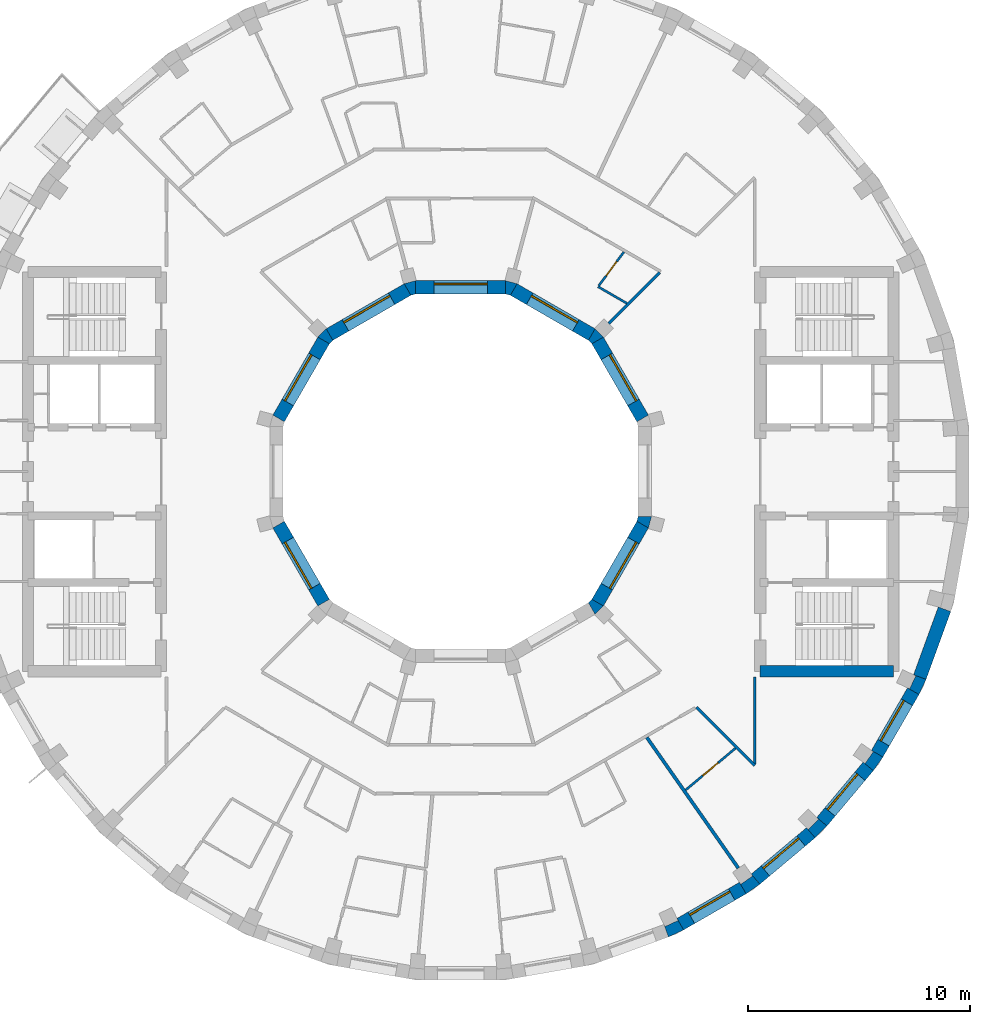
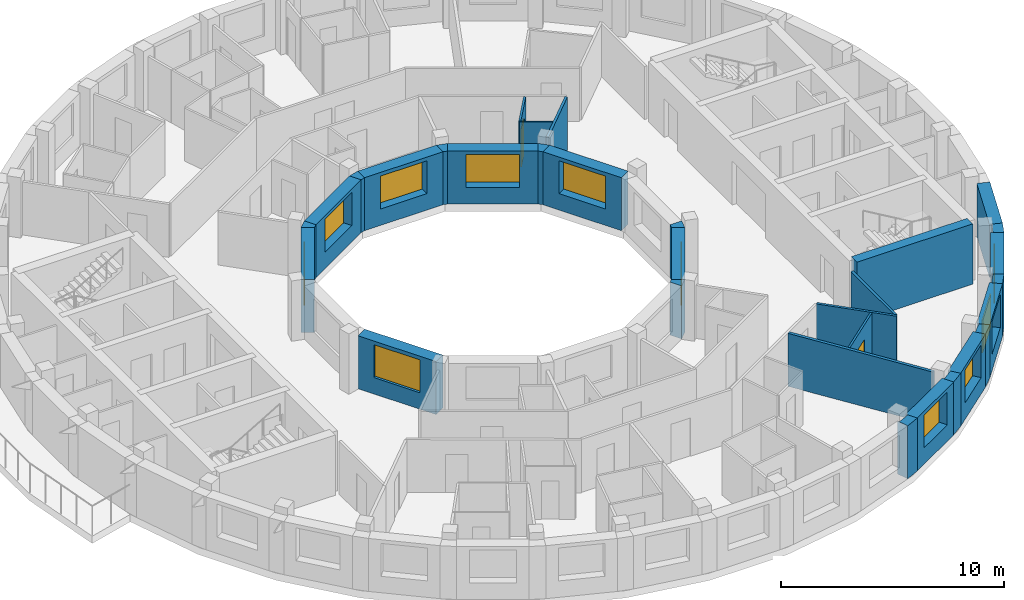
# One storey, part 5 of 10: 31 walls, 11 windows, 2 doors, 13 openings.
"""IFC4 building model written with IfcOpenShell, lengths in metres."""

import ifcopenshell
import ifcopenshell.guid

model = None  # the IFC model being written
_history = None  # IfcOwnerHistory: only IFC2X3 demands one
_inside = {}  # id of a spatial element -> (the spatial element, [elements in it])
_under = {}  # id of a project, library or spatial element -> (it, [spatial elements below it])
_declared = {}  # id of a project -> (the project, [libraries it declares])
_typed = {}  # id of a type object -> (the type object, [elements of that type])
_made_of = {}  # id of a material, layer set ... -> (it, [elements and type objects made of it])


def new_model(schema):
    """Start an empty IFC model of exactly this schema.

    Asked for "IFC4X3", IfcOpenShell would pick the latest addendum, in which some entities
    have other attributes; the version numbers below select the first issue.
    IFC2X3 requires an IfcOwnerHistory on every rooted entity: one is made here for all.
    """
    global model, _history
    if schema == "IFC4X3":
        model = ifcopenshell.file(schema_version=(4, 3, 0, 0))
    else:
        model = ifcopenshell.file(schema=schema)
    _inside.clear()
    _under.clear()
    _declared.clear()
    _typed.clear()
    _made_of.clear()
    _history = None
    if model.schema == "IFC2X3":
        org = make("IfcOrganization", Name="unknown")
        user = make(
            "IfcPersonAndOrganization",
            ThePerson=make("IfcPerson", FamilyName="unknown"),
            TheOrganization=org,
        )
        app = make(
            "IfcApplication",
            ApplicationDeveloper=org,
            Version="unknown",
            ApplicationFullName="unknown",
            ApplicationIdentifier="unknown",
        )
        _history = make(
            "IfcOwnerHistory",
            OwningUser=user,
            OwningApplication=app,
            ChangeAction="ADDED",
            CreationDate=0,
        )
    return model


def make(cls, **values):
    """One entity of the class cls with the attributes given. An attribute that is None is left unset."""
    return model.create_entity(
        cls, **{name: value for name, value in values.items() if value is not None}
    )


def rooted(cls, **values):
    """An entity with a GlobalId (a new one), such as an element, a storey or a relation."""
    return make(cls, GlobalId=ifcopenshell.guid.new(), OwnerHistory=_history, **values)


def si_unit(unit_type, name, prefix=None):
    """IfcSIUnit, for example si_unit("LENGTHUNIT", "METRE", prefix="MILLI")."""
    return make("IfcSIUnit", UnitType=unit_type, Prefix=prefix, Name=name)


def assignment(units):
    """IfcUnitAssignment: the units of a project."""
    return None if units is None else make("IfcUnitAssignment", Units=units)


def point(xyz):
    """IfcCartesianPoint."""
    return None if xyz is None else make("IfcCartesianPoint", Coordinates=xyz)


def direction(xyz):
    """IfcDirection."""
    return None if xyz is None else make("IfcDirection", DirectionRatios=xyz)


def frame(location, z_axis=None, x_axis=None):
    """IfcAxis2Placement3D, a coordinate frame: its origin and axes. An axis left out is left unset."""
    return make(
        "IfcAxis2Placement3D",
        Location=point(location),
        Axis=direction(z_axis),
        RefDirection=direction(x_axis),
    )


def frame_2d(location, x_axis=None):
    """IfcAxis2Placement2D, a coordinate frame in the plane: its origin and x axis."""
    return make(
        "IfcAxis2Placement2D", Location=point(location), RefDirection=direction(x_axis)
    )


def origin():
    """The frame at (0, 0, 0) with its axes left unset."""
    return frame((0.0, 0.0, 0.0))


def place(relative_to, where):
    """IfcLocalPlacement: puts the frame where relative to a parent placement (None: the world)."""
    return make(
        "IfcLocalPlacement", PlacementRelTo=relative_to, RelativePlacement=where
    )


def context(
    kind, dimensions, precision=None, world=None, true_north=None, identifier=None
):
    """IfcGeometricRepresentationContext, for example the 3D "Model" context."""
    return make(
        "IfcGeometricRepresentationContext",
        ContextIdentifier=identifier,
        ContextType=kind,
        CoordinateSpaceDimension=dimensions,
        Precision=precision,
        WorldCoordinateSystem=world,
        TrueNorth=true_north,
    )


def subcontext(parent, identifier, kind, view, scale=None):
    """IfcGeometricRepresentationSubContext, for example "Body" below "Model"."""
    return make(
        "IfcGeometricRepresentationSubContext",
        ContextIdentifier=identifier,
        ContextType=kind,
        ParentContext=parent,
        TargetScale=scale,
        TargetView=view,
    )


def project(units=None, contexts=None):
    """IfcProject with its units and contexts."""
    return rooted(
        "IfcProject",
        Name="project",
        RepresentationContexts=contexts,
        UnitsInContext=assignment(units),
    )


def spatial(cls, under=None, at=None, **own):
    """A site, building, storey or space (cls), placed at a placement, below another one or the project."""
    s = rooted(cls, ObjectPlacement=at, **own)
    if under is not None:
        _under.setdefault(under.id(), (under, []))[1].append(s)
    return s


def polyline(points):
    """IfcPolyline through the points."""
    return make("IfcPolyline", Points=[point(p) for p in points])


def profile(cls, at=None, kind="AREA", **sizes):
    """A parametric profile (cls). Its sizes go by their IFC names, for example OverallWidth=200.0."""
    return make(cls, ProfileType=kind, Position=at, **sizes)


def rectangle(**sizes):
    """IfcRectangleProfileDef."""
    return profile("IfcRectangleProfileDef", **sizes)


def outline(outer, holes=None, kind="AREA"):
    """IfcArbitraryClosedProfileDef: a profile drawn as a closed curve; with holes, ...WithVoids."""
    if holes is None:
        return make("IfcArbitraryClosedProfileDef", ProfileType=kind, OuterCurve=outer)
    return make(
        "IfcArbitraryProfileDefWithVoids",
        ProfileType=kind,
        OuterCurve=outer,
        InnerCurves=holes,
    )


def extrude(swept, where, along, depth):
    """IfcExtrudedAreaSolid: the profile swept, set in the frame where, extruded along a direction by depth."""
    return make(
        "IfcExtrudedAreaSolid",
        SweptArea=swept,
        Position=where,
        ExtrudedDirection=direction(along),
        Depth=depth,
    )


def shape(context_of_items, identifier, shape_type, items):
    """IfcShapeRepresentation: the items that make up one representation, for example the "Body"."""
    return make(
        "IfcShapeRepresentation",
        ContextOfItems=context_of_items,
        RepresentationIdentifier=identifier,
        RepresentationType=shape_type,
        Items=items,
    )


def material(Name=None, Category=None):
    """IfcMaterial."""
    return make("IfcMaterial", Name=Name, Category=Category)


def layer(
    of_material, thickness, ventilated=None, Name=None, Category=None, Priority=None
):
    """IfcMaterialLayer: one layer of a wall or slab, of a material (None: an air gap)."""
    return make(
        "IfcMaterialLayer",
        Material=of_material,
        LayerThickness=thickness,
        IsVentilated=ventilated,
        Name=Name,
        Category=Category,
        Priority=Priority,
    )


def layer_set(layers, Name=None):
    """IfcMaterialLayerSet."""
    return make("IfcMaterialLayerSet", MaterialLayers=layers, LayerSetName=Name)


def made_of(thing, what):
    """Note that an element or type object is made of a material, layer set ...; save() writes the relation."""
    if what is not None:
        _made_of.setdefault(what.id(), (what, []))[1].append(thing)
    return thing


def type_object(cls, material=None, **own):
    """A type object (cls), such as IfcWallType, which elements share."""
    return made_of(rooted(cls, **own), material)


def element(
    cls,
    number,
    at=None,
    inside=None,
    cuts=None,
    type_object=None,
    material=None,
    context=None,
    identifier="Body",
    shape_type=None,
    held_by="IfcProductDefinitionShape",
    body=None,
    shapes=None,
    **own,
):
    """One element of the class cls, such as IfcWall. Its Tag is "e" and its number.

    at: its placement. inside: the storey or other place that contains it. cuts: it is an
    opening in that element (IfcRelVoidsElement). A single representation is given by context,
    identifier, shape_type and body (its items); several are given by shapes. held_by: the class
    of the entity that holds the representations. save() writes the other relations.
    """
    e = rooted(cls, Tag="e%d" % number, ObjectPlacement=at, **own)
    if body is not None:
        shapes = [shape(context, identifier, shape_type, body)]
    if shapes is not None:
        e.Representation = make(held_by, Representations=shapes)
    if inside is not None:
        _inside.setdefault(inside.id(), (inside, []))[1].append(e)
    if cuts is not None:
        rooted(
            "IfcRelVoidsElement", RelatingBuildingElement=cuts, RelatedOpeningElement=e
        )
    if type_object is not None:
        _typed.setdefault(type_object.id(), (type_object, []))[1].append(e)
    return made_of(e, material)


def fill(opening, filler):
    """IfcRelFillsElement: the door or window that sits in an opening."""
    return rooted(
        "IfcRelFillsElement",
        RelatingOpeningElement=opening,
        RelatedBuildingElement=filler,
    )


def aggregate(whole, parts):
    """IfcRelAggregates: a whole, such as a stair, and the parts it consists of."""
    return rooted("IfcRelAggregates", RelatingObject=whole, RelatedObjects=parts)


def save(model, path):
    """Write the relations noted so far, then the file.

    IfcRelAggregates (storeys below a building ...), IfcRelContainedInSpatialStructure (elements
    in a storey), IfcRelDefinesByType, IfcRelAssociatesMaterial and IfcRelDeclares: one each for
    every whole, place, type object, material and project.
    """
    for whole, parts in _under.values():
        aggregate(whole, parts)
    for where, things in _inside.values():
        rooted(
            "IfcRelContainedInSpatialStructure",
            RelatedElements=things,
            RelatingStructure=where,
        )
    for kind, things in _typed.values():
        rooted("IfcRelDefinesByType", RelatedObjects=things, RelatingType=kind)
    for what, things in _made_of.values():
        rooted("IfcRelAssociatesMaterial", RelatedObjects=things, RelatingMaterial=what)
    for by, libraries in _declared.values():
        rooted("IfcRelDeclares", RelatingContext=by, RelatedDefinitions=libraries)
    model.write(path)


model = new_model("IFC4")

# Units and contexts
model_context = context("Model", 3, precision=1e-05, world=origin(), true_north=direction((0.0, 1.0)))
body_context = subcontext(model_context, "Body", "Model", "MODEL_VIEW")
ifc_project = project(units=[si_unit("LENGTHUNIT", "METRE"), si_unit("AREAUNIT", "SQUARE_METRE"), si_unit("VOLUMEUNIT", "CUBIC_METRE"), si_unit("PLANEANGLEUNIT", "RADIAN"), si_unit("MASSUNIT", "GRAM", prefix="KILO")], contexts=[model_context])

# Site, building, storey
site_placement = place(None, origin())
site = spatial("IfcSite", under=ifc_project, at=site_placement, CompositionType="ELEMENT")
building_placement = place(site_placement, origin())
building = spatial("IfcBuilding", under=site, at=building_placement, Name="Saqina Gate Tower", CompositionType="ELEMENT")
storey_placement = place(building_placement, frame((0.0, 0.0, 246.199951171875)))
storey = spatial("IfcBuildingStorey", under=building, at=storey_placement, Name="L70", CompositionType="ELEMENT", Elevation=246.199951171875)

# Walls
ifc_material_1 = material(Name="Brick masonry (buff)", Category="masonry")
wall_type_1 = type_object("IfcWallType", Name="BRICK PIER COPING BUFF", PredefinedType="SOLIDWALL", material=ifc_material_1)
wall_1_placement = place(storey_placement, origin())
element("IfcWall", 1, at=wall_1_placement, inside=storey, type_object=wall_type_1, Name="Pier cap L70 column 30", PredefinedType="SOLIDWALL", context=body_context, shape_type="SweptSolid", body=[
    extrude(outline(polyline([(9.3642578125, -20.974609375), (10.048095703125, -20.65576171875), (9.748291015625, -20.135986328125), (9.79296875, -20.23193359375), (9.203857421875, -20.506591796875), (9.1591796875, -20.410888671875), (9.3642578125, -20.974609375)])), origin(), (0.0, 0.0, 1.0), 2.900146484375),
])
wall_2_placement = place(storey_placement, origin())
element("IfcWall", 2, at=wall_2_placement, inside=storey, type_object=wall_type_1, Name="Pier cap L70 column 31", PredefinedType="SOLIDWALL", context=body_context, shape_type="SweptSolid", body=[
    extrude(outline(polyline([(12.8642578125, -19.02978515625), (13.482421875, -18.59716796875), (13.0966796875, -18.137451171875), (13.157470703125, -18.22412109375), (12.625, -18.596923828125), (12.564208984375, -18.51025390625), (12.8642578125, -19.02978515625)])), origin(), (0.0, 0.0, 1.0), 2.900146484375),
])
wall_3_placement = place(storey_placement, origin())
element("IfcWall", 3, at=wall_3_placement, inside=storey, type_object=wall_type_1, Name="Pier cap L70 column 32", PredefinedType="SOLIDWALL", context=body_context, shape_type="SweptSolid", body=[
    extrude(outline(polyline([(16.5068359375, -15.973388671875), (16.04736328125, -15.587646484375), (16.1220703125, -15.662353515625), (15.662353515625, -16.1220703125), (15.587646484375, -16.04736328125), (15.973388671875, -16.5068359375), (16.5068359375, -15.973388671875)])), origin(), (0.0, 0.0, 1.0), 2.900146484375),
])
wall_4_placement = place(storey_placement, origin())
element("IfcWall", 4, at=wall_4_placement, inside=storey, type_object=wall_type_1, Name="Pier cap L70 column 33", PredefinedType="SOLIDWALL", context=body_context, shape_type="SweptSolid", body=[
    extrude(outline(polyline([(19.02978515625, -12.8642578125), (18.51025390625, -12.564208984375), (18.596923828125, -12.625), (18.22412109375, -13.157470703125), (18.137451171875, -13.0966796875), (18.59716796875, -13.482421875), (19.02978515625, -12.8642578125)])), origin(), (0.0, 0.0, 1.0), 2.900146484375),
])
wall_5_placement = place(storey_placement, origin())
element("IfcWall", 5, at=wall_5_placement, inside=storey, type_object=wall_type_1, Name="Pier cap L70 column 34", PredefinedType="SOLIDWALL", context=body_context, shape_type="SweptSolid", body=[
    extrude(outline(polyline([(20.65576171875, -10.048095703125), (20.974609375, -9.3642578125), (20.410888671875, -9.1591796875), (20.506591796875, -9.203857421875), (20.23193359375, -9.79296875), (20.135986328125, -9.748291015625), (20.65576171875, -10.048095703125)])), origin(), (0.0, 0.0, 1.0), 2.900146484375),
])

# Wall, opening, window
ifc_material_2 = material(Name="Brick masonry (buff)", Category="masonry")
ifc_layer_1 = layer(ifc_material_2, 0.60009765625)
ifc_layer_set_1 = layer_set([ifc_layer_1], Name="FW-BRICK-BUFF")
wall_type_2 = type_object("IfcWallType", Name="FW-BRICK-BUFF", PredefinedType="SOLIDWALL", material=ifc_layer_set_1)
wall_6_placement = place(storey_placement, frame((9.898193359375, -20.39599609375, 0.0), z_axis=(0.0, 0.0, 1.0), x_axis=(0.866016800201, 0.500014901547, 0.0)))
wall_6 = element("IfcWall", 6, at=wall_6_placement, inside=storey, type_object=wall_type_2, Name="Facade wall L70 facet 30", PredefinedType="SOLIDWALL", context=body_context, shape_type="SweptSolid", body=[
    extrude(rectangle(XDim=3.251953125, YDim=0.60009765625, at=frame_2d((1.6259765625, 0.0))), origin(), (0.0, 0.0, 1.0), 2.900146484375),
])
opening_1_placement = place(wall_6_placement, frame((0.57568359375, 0.0, 0.89990234375)))
opening_1 = element("IfcOpeningElement", 7, at=opening_1_placement, cuts=wall_6, Name="Opening G20-W21", PredefinedType="OPENING", context=body_context, shape_type="SweptSolid", body=[
    extrude(rectangle(XDim=2.10009765625, YDim=1.800048828125, at=frame_2d((1.050048828125, 0.89990234375))), frame((0.0, 0.31201171875, 0.0), z_axis=(0.0, -1.0, 0.0), x_axis=(1.0, 0.0, 0.0)), (0.0, 0.0, 1.0), 0.6240234375),
])
ifc_material_3 = material(Name="Aluminium glazing", Category="aluminium")
window_type_1 = type_object("IfcWindowType", Name="WN-D", PartitioningType="SINGLE_PANEL", PredefinedType="WINDOW", material=ifc_material_3)
window_1_placement = place(opening_1_placement, origin())
window_1 = element("IfcWindow", 8, at=window_1_placement, inside=storey, type_object=window_type_1, Name="Window L70 facet 30", OverallHeight=1.800048828125, OverallWidth=2.10009765625, PartitioningType="SINGLE_PANEL", PredefinedType="WINDOW", context=body_context, shape_type="SweptSolid", body=[
    extrude(rectangle(XDim=2.10009765625, YDim=1.800048828125, at=frame_2d((1.050048828125, 0.89990234375))), frame((0.0, 0.179931640625, 0.0), z_axis=(0.0, -1.0, 0.0), x_axis=(1.0, 0.0, 0.0)), (0.0, 0.0, 1.0), 0.06005859375),
])
fill(opening_1, window_1)

wall_7_placement = place(storey_placement, frame((13.28955078125, -18.3671875, 0.0), z_axis=(0.0, 0.0, 1.0), x_axis=(0.766056773982, 0.64277291405, 0.0)))
wall_7 = element("IfcWall", 9, at=wall_7_placement, inside=storey, type_object=wall_type_2, Name="Facade wall L70 facet 31", PredefinedType="SOLIDWALL", context=body_context, shape_type="SweptSolid", body=[
    extrude(rectangle(XDim=3.251708984375, YDim=0.60009765625, at=frame_2d((1.6259765625, 0.0))), origin(), (0.0, 0.0, 1.0), 2.900146484375),
])
opening_2_placement = place(wall_7_placement, frame((0.57568359375, 0.0, 0.89990234375)))
opening_2 = element("IfcOpeningElement", 10, at=opening_2_placement, cuts=wall_7, Name="Opening G20-W22", PredefinedType="OPENING", context=body_context, shape_type="SweptSolid", body=[
    extrude(rectangle(XDim=2.10009765625, YDim=1.800048828125, at=frame_2d((1.050048828125, 0.89990234375))), frame((0.0, 0.31201171875, 0.0), z_axis=(0.0, -1.0, 0.0), x_axis=(1.0, 0.0, 0.0)), (0.0, 0.0, 1.0), 0.6240234375),
])
window_2_placement = place(opening_2_placement, origin())
window_2 = element("IfcWindow", 11, at=window_2_placement, inside=storey, type_object=window_type_1, Name="Window L70 facet 31", OverallHeight=1.800048828125, OverallWidth=2.10009765625, PartitioningType="SINGLE_PANEL", PredefinedType="WINDOW", context=body_context, shape_type="SweptSolid", body=[
    extrude(rectangle(XDim=2.10009765625, YDim=1.800048828125, at=frame_2d((1.050048828125, 0.89990234375))), frame((0.0, 0.179931640625, 0.0), z_axis=(0.0, -1.0, 0.0), x_axis=(1.0, 0.0, 0.0)), (0.0, 0.0, 1.0), 0.06005859375),
])
fill(opening_2, window_2)

wall_8_placement = place(storey_placement, frame((16.277099609375, -15.780517578125, 0.0), z_axis=(0.0, 0.0, 1.0), x_axis=(0.64277291405, 0.766056773982, 0.0)))
wall_8 = element("IfcWall", 12, at=wall_8_placement, inside=storey, type_object=wall_type_2, Name="Facade wall L70 facet 32", PredefinedType="SOLIDWALL", context=body_context, shape_type="SweptSolid", body=[
    extrude(rectangle(XDim=3.251708984375, YDim=0.60009765625, at=frame_2d((1.6259765625, 0.0))), origin(), (0.0, 0.0, 1.0), 2.900146484375),
])
opening_3_placement = place(wall_8_placement, frame((0.57568359375, 0.0, 0.89990234375)))
opening_3 = element("IfcOpeningElement", 13, at=opening_3_placement, cuts=wall_8, Name="Opening G20-W23", PredefinedType="OPENING", context=body_context, shape_type="SweptSolid", body=[
    extrude(rectangle(XDim=2.10009765625, YDim=1.800048828125, at=frame_2d((1.050048828125, 0.89990234375))), frame((0.0, 0.31201171875, 0.0), z_axis=(0.0, -1.0, 0.0), x_axis=(1.0, 0.0, 0.0)), (0.0, 0.0, 1.0), 0.6240234375),
])
window_3_placement = place(opening_3_placement, origin())
window_3 = element("IfcWindow", 14, at=window_3_placement, inside=storey, type_object=window_type_1, Name="Window L70 facet 32", OverallHeight=1.800048828125, OverallWidth=2.10009765625, PartitioningType="SINGLE_PANEL", PredefinedType="WINDOW", context=body_context, shape_type="SweptSolid", body=[
    extrude(rectangle(XDim=2.10009765625, YDim=1.800048828125, at=frame_2d((1.050048828125, 0.89990234375))), frame((0.0, 0.179931640625, 0.0), z_axis=(0.0, -1.0, 0.0), x_axis=(1.0, 0.0, 0.0)), (0.0, 0.0, 1.0), 0.06005859375),
])
fill(opening_3, window_3)

wall_9_placement = place(storey_placement, frame((18.77001953125, -12.71435546875, 0.0), z_axis=(0.0, 0.0, 1.0), x_axis=(0.500014901547, 0.866016800201, 0.0)))
wall_9 = element("IfcWall", 15, at=wall_9_placement, inside=storey, type_object=wall_type_2, Name="Facade wall L70 facet 33", PredefinedType="SOLIDWALL", context=body_context, shape_type="SweptSolid", body=[
    extrude(rectangle(XDim=3.251953125, YDim=0.60009765625, at=frame_2d((1.6259765625, 0.0))), origin(), (0.0, 0.0, 1.0), 2.900146484375),
])
opening_4_placement = place(wall_9_placement, frame((0.57568359375, 0.0, 0.89990234375)))
opening_4 = element("IfcOpeningElement", 16, at=opening_4_placement, cuts=wall_9, Name="Opening G20-W24", PredefinedType="OPENING", context=body_context, shape_type="SweptSolid", body=[
    extrude(rectangle(XDim=2.10009765625, YDim=1.800048828125, at=frame_2d((1.050048828125, 0.89990234375))), frame((0.0, 0.31201171875, 0.0), z_axis=(0.0, -1.0, 0.0), x_axis=(1.0, 0.0, 0.0)), (0.0, 0.0, 1.0), 0.6240234375),
])
window_4_placement = place(opening_4_placement, origin())
window_4 = element("IfcWindow", 17, at=window_4_placement, inside=storey, type_object=window_type_1, Name="Window L70 facet 33", OverallHeight=1.800048828125, OverallWidth=2.10009765625, PartitioningType="SINGLE_PANEL", PredefinedType="WINDOW", context=body_context, shape_type="SweptSolid", body=[
    extrude(rectangle(XDim=2.10009765625, YDim=1.800048828125, at=frame_2d((1.050048828125, 0.89990234375))), frame((0.0, 0.179931640625, 0.0), z_axis=(0.0, -1.0, 0.0), x_axis=(1.0, 0.0, 0.0)), (0.0, 0.0, 1.0), 0.06005859375),
])
fill(opening_4, window_4)

# Wall
ifc_material_4 = material(Name="Glazed ceramic tile (white)", Category="ceramic")
ifc_layer_2 = layer(ifc_material_4, 0.60009765625)
ifc_layer_set_2 = layer_set([ifc_layer_2], Name="FW-TILE-WH")
wall_type_3 = type_object("IfcWallType", Name="FW-TILE-WH", PredefinedType="SOLIDWALL", material=ifc_layer_set_2)
wall_10_placement = place(storey_placement, frame((20.692626953125, -9.26171875, 0.0), z_axis=(0.0, 0.0, 1.0), x_axis=(0.342056509473, 0.939679383794, 0.0)))
element("IfcWall", 18, at=wall_10_placement, inside=storey, type_object=wall_type_3, Name="Facade wall L70 facet 34", PredefinedType="SOLIDWALL", context=body_context, shape_type="SweptSolid", body=[
    extrude(rectangle(XDim=3.251708984375, YDim=0.60009765625, at=frame_2d((1.6259765625, 0.0))), origin(), (0.0, 0.0, 1.0), 2.900146484375),
])

# Wall, opening, window
ifc_material_5 = material(Name="Glazed ceramic tile", Category="ceramic")
ifc_layer_3 = layer(ifc_material_5, 0.60009765625)
ifc_layer_set_3 = layer_set([ifc_layer_3], Name="IW-TILE")
wall_type_4 = type_object("IfcWallType", Name="IW-TILE", PredefinedType="SOLIDWALL", material=ifc_layer_set_3)
wall_11_placement = place(storey_placement, frame((8.20263671875, 2.392578125, 0.0), z_axis=(0.0, 0.0, 1.0), x_axis=(-0.499994954979, 0.866028316509, 0.0)))
wall_11 = element("IfcWall", 19, at=wall_11_placement, inside=storey, type_object=wall_type_4, Name="Well wall L70 facet 1", PredefinedType="SOLIDWALL", context=body_context, shape_type="SweptSolid", body=[
    extrude(rectangle(XDim=4.05859375, YDim=0.60009765625, at=frame_2d((2.029296875, 0.0))), origin(), (0.0, 0.0, 1.0), 2.900146484375),
])
opening_5_placement = place(wall_11_placement, frame((0.829345703125, 0.0, 0.89990234375)))
opening_5 = element("IfcOpeningElement", 20, at=opening_5_placement, cuts=wall_11, Name="Opening G20-W25", PredefinedType="OPENING", context=body_context, shape_type="SweptSolid", body=[
    extrude(rectangle(XDim=2.39990234375, YDim=1.800048828125, at=frame_2d((1.199951171875, 0.89990234375))), frame((0.0, 0.31201171875, 0.0), z_axis=(0.0, -1.0, 0.0), x_axis=(1.0, 0.0, 0.0)), (0.0, 0.0, 1.0), 0.6240234375),
])
ifc_material_6 = material(Name="Aluminium glazing", Category="aluminium")
window_type_2 = type_object("IfcWindowType", Name="WN-W", PartitioningType="SINGLE_PANEL", PredefinedType="WINDOW", material=ifc_material_6)
window_5_placement = place(opening_5_placement, origin())
window_5 = element("IfcWindow", 21, at=window_5_placement, inside=storey, type_object=window_type_2, Name="Well window L70 facet 1", OverallHeight=1.800048828125, OverallWidth=2.39990234375, PartitioningType="SINGLE_PANEL", PredefinedType="WINDOW", context=body_context, shape_type="SweptSolid", body=[
    extrude(rectangle(XDim=2.39990234375, YDim=1.800048828125, at=frame_2d((1.199951171875, 0.89990234375))), frame((0.0, -0.119873046875, 0.0), z_axis=(0.0, -1.0, 0.0), x_axis=(1.0, 0.0, 0.0)), (0.0, 0.0, 1.0), 0.06005859375),
])
fill(opening_5, window_5)

wall_12_placement = place(storey_placement, frame((5.907470703125, 6.17333984375, 0.0), z_axis=(0.0, 0.0, 1.0), x_axis=(-0.866028316509, 0.499994954979, 0.0)))
wall_12 = element("IfcWall", 22, at=wall_12_placement, inside=storey, type_object=wall_type_4, Name="Well wall L70 facet 2", PredefinedType="SOLIDWALL", context=body_context, shape_type="SweptSolid", body=[
    extrude(rectangle(XDim=4.05859375, YDim=0.60009765625, at=frame_2d((2.029296875, 0.0))), origin(), (0.0, 0.0, 1.0), 2.900146484375),
])
opening_6_placement = place(wall_12_placement, frame((0.829345703125, 0.0, 0.89990234375)))
opening_6 = element("IfcOpeningElement", 23, at=opening_6_placement, cuts=wall_12, Name="Opening G20-W26", PredefinedType="OPENING", context=body_context, shape_type="SweptSolid", body=[
    extrude(rectangle(XDim=2.39990234375, YDim=1.800048828125, at=frame_2d((1.199951171875, 0.89990234375))), frame((0.0, 0.31201171875, 0.0), z_axis=(0.0, -1.0, 0.0), x_axis=(1.0, 0.0, 0.0)), (0.0, 0.0, 1.0), 0.6240234375),
])
window_6_placement = place(opening_6_placement, origin())
window_6 = element("IfcWindow", 24, at=window_6_placement, inside=storey, type_object=window_type_2, Name="Well window L70 facet 2", OverallHeight=1.800048828125, OverallWidth=2.39990234375, PartitioningType="SINGLE_PANEL", PredefinedType="WINDOW", context=body_context, shape_type="SweptSolid", body=[
    extrude(rectangle(XDim=2.39990234375, YDim=1.800048828125, at=frame_2d((1.199951171875, 0.89990234375))), frame((0.0, -0.119873046875, 0.0), z_axis=(0.0, -1.0, 0.0), x_axis=(1.0, 0.0, 0.0)), (0.0, 0.0, 1.0), 0.06005859375),
])
fill(opening_6, window_6)

wall_13_placement = place(storey_placement, frame((2.029296875, 8.300048828125, 0.0), z_axis=(0.0, 0.0, 1.0), x_axis=(-1.0, 0.0, 0.0)))
wall_13 = element("IfcWall", 25, at=wall_13_placement, inside=storey, type_object=wall_type_4, Name="Well wall L70 facet 3", PredefinedType="SOLIDWALL", context=body_context, shape_type="SweptSolid", body=[
    extrude(rectangle(XDim=4.05859375, YDim=0.60009765625, at=frame_2d((2.029296875, 0.0))), origin(), (0.0, 0.0, 1.0), 2.900146484375),
])
opening_7_placement = place(wall_13_placement, frame((0.829345703125, 0.0, 0.89990234375)))
opening_7 = element("IfcOpeningElement", 26, at=opening_7_placement, cuts=wall_13, Name="Opening G20-W27", PredefinedType="OPENING", context=body_context, shape_type="SweptSolid", body=[
    extrude(rectangle(XDim=2.39990234375, YDim=1.800048828125, at=frame_2d((1.199951171875, 0.89990234375))), frame((0.0, 0.31201171875, 0.0), z_axis=(0.0, -1.0, 0.0), x_axis=(1.0, 0.0, 0.0)), (0.0, 0.0, 1.0), 0.6240234375),
])
window_7_placement = place(opening_7_placement, origin())
window_7 = element("IfcWindow", 27, at=window_7_placement, inside=storey, type_object=window_type_2, Name="Well window L70 facet 3", OverallHeight=1.800048828125, OverallWidth=2.39990234375, PartitioningType="SINGLE_PANEL", PredefinedType="WINDOW", context=body_context, shape_type="SweptSolid", body=[
    extrude(rectangle(XDim=2.39990234375, YDim=1.800048828125, at=frame_2d((1.199951171875, 0.89990234375))), frame((0.0, -0.119873046875, 0.0), z_axis=(0.0, -1.0, 0.0), x_axis=(1.0, 0.0, 0.0)), (0.0, 0.0, 1.0), 0.06005859375),
])
fill(opening_7, window_7)

wall_14_placement = place(storey_placement, frame((-2.392578125, 8.20263671875, 0.0), z_axis=(0.0, 0.0, 1.0), x_axis=(-0.866028316509, -0.499994954979, 0.0)))
wall_14 = element("IfcWall", 28, at=wall_14_placement, inside=storey, type_object=wall_type_4, Name="Well wall L70 facet 4", PredefinedType="SOLIDWALL", context=body_context, shape_type="SweptSolid", body=[
    extrude(rectangle(XDim=4.05859375, YDim=0.60009765625, at=frame_2d((2.029296875, 0.0))), origin(), (0.0, 0.0, 1.0), 2.900146484375),
])
opening_8_placement = place(wall_14_placement, frame((0.829345703125, 0.0, 0.89990234375)))
opening_8 = element("IfcOpeningElement", 29, at=opening_8_placement, cuts=wall_14, Name="Opening G20-W28", PredefinedType="OPENING", context=body_context, shape_type="SweptSolid", body=[
    extrude(rectangle(XDim=2.39990234375, YDim=1.800048828125, at=frame_2d((1.199951171875, 0.89990234375))), frame((0.0, 0.31201171875, 0.0), z_axis=(0.0, -1.0, 0.0), x_axis=(1.0, 0.0, 0.0)), (0.0, 0.0, 1.0), 0.6240234375),
])
window_8_placement = place(opening_8_placement, origin())
window_8 = element("IfcWindow", 30, at=window_8_placement, inside=storey, type_object=window_type_2, Name="Well window L70 facet 4", OverallHeight=1.800048828125, OverallWidth=2.39990234375, PartitioningType="SINGLE_PANEL", PredefinedType="WINDOW", context=body_context, shape_type="SweptSolid", body=[
    extrude(rectangle(XDim=2.39990234375, YDim=1.800048828125, at=frame_2d((1.199951171875, 0.89990234375))), frame((0.0, -0.119873046875, 0.0), z_axis=(0.0, -1.0, 0.0), x_axis=(1.0, 0.0, 0.0)), (0.0, 0.0, 1.0), 0.06005859375),
])
fill(opening_8, window_8)

wall_15_placement = place(storey_placement, frame((-6.17333984375, 5.907470703125, 0.0), z_axis=(0.0, 0.0, 1.0), x_axis=(-0.499994954979, -0.866028316509, 0.0)))
wall_15 = element("IfcWall", 31, at=wall_15_placement, inside=storey, type_object=wall_type_4, Name="Well wall L70 facet 5", PredefinedType="SOLIDWALL", context=body_context, shape_type="SweptSolid", body=[
    extrude(rectangle(XDim=4.05859375, YDim=0.60009765625, at=frame_2d((2.029296875, 0.0))), origin(), (0.0, 0.0, 1.0), 2.900146484375),
])
opening_9_placement = place(wall_15_placement, frame((0.829345703125, 0.0, 0.89990234375)))
opening_9 = element("IfcOpeningElement", 32, at=opening_9_placement, cuts=wall_15, Name="Opening G20-W29", PredefinedType="OPENING", context=body_context, shape_type="SweptSolid", body=[
    extrude(rectangle(XDim=2.39990234375, YDim=1.800048828125, at=frame_2d((1.199951171875, 0.89990234375))), frame((0.0, 0.31201171875, 0.0), z_axis=(0.0, -1.0, 0.0), x_axis=(1.0, 0.0, 0.0)), (0.0, 0.0, 1.0), 0.6240234375),
])
window_9_placement = place(opening_9_placement, origin())
window_9 = element("IfcWindow", 33, at=window_9_placement, inside=storey, type_object=window_type_2, Name="Well window L70 facet 5", OverallHeight=1.800048828125, OverallWidth=2.39990234375, PartitioningType="SINGLE_PANEL", PredefinedType="WINDOW", context=body_context, shape_type="SweptSolid", body=[
    extrude(rectangle(XDim=2.39990234375, YDim=1.800048828125, at=frame_2d((1.199951171875, 0.89990234375))), frame((0.0, -0.119873046875, 0.0), z_axis=(0.0, -1.0, 0.0), x_axis=(1.0, 0.0, 0.0)), (0.0, 0.0, 1.0), 0.06005859375),
])
fill(opening_9, window_9)

wall_16_placement = place(storey_placement, frame((-8.20263671875, -2.392578125, 0.0), z_axis=(0.0, 0.0, 1.0), x_axis=(0.499994954979, -0.866028316509, 0.0)))
wall_16 = element("IfcWall", 34, at=wall_16_placement, inside=storey, type_object=wall_type_4, Name="Well wall L70 facet 7", PredefinedType="SOLIDWALL", context=body_context, shape_type="SweptSolid", body=[
    extrude(rectangle(XDim=4.05859375, YDim=0.60009765625, at=frame_2d((2.029296875, 0.0))), origin(), (0.0, 0.0, 1.0), 2.900146484375),
])
opening_10_placement = place(wall_16_placement, frame((0.829345703125, 0.0, 0.89990234375)))
opening_10 = element("IfcOpeningElement", 35, at=opening_10_placement, cuts=wall_16, Name="Opening G20-W31", PredefinedType="OPENING", context=body_context, shape_type="SweptSolid", body=[
    extrude(rectangle(XDim=2.39990234375, YDim=1.800048828125, at=frame_2d((1.199951171875, 0.89990234375))), frame((0.0, 0.31201171875, 0.0), z_axis=(0.0, -1.0, 0.0), x_axis=(1.0, 0.0, 0.0)), (0.0, 0.0, 1.0), 0.6240234375),
])
window_10_placement = place(opening_10_placement, origin())
window_10 = element("IfcWindow", 36, at=window_10_placement, inside=storey, type_object=window_type_2, Name="Well window L70 facet 7", OverallHeight=1.800048828125, OverallWidth=2.39990234375, PartitioningType="SINGLE_PANEL", PredefinedType="WINDOW", context=body_context, shape_type="SweptSolid", body=[
    extrude(rectangle(XDim=2.39990234375, YDim=1.800048828125, at=frame_2d((1.199951171875, 0.89990234375))), frame((0.0, -0.119873046875, 0.0), z_axis=(0.0, -1.0, 0.0), x_axis=(1.0, 0.0, 0.0)), (0.0, 0.0, 1.0), 0.06005859375),
])
fill(opening_10, window_10)

wall_17_placement = place(storey_placement, frame((6.17333984375, -5.907470703125, 0.0), z_axis=(0.0, 0.0, 1.0), x_axis=(0.499994954979, 0.866028316509, 0.0)))
wall_17 = element("IfcWall", 37, at=wall_17_placement, inside=storey, type_object=wall_type_4, Name="Well wall L70 facet 11", PredefinedType="SOLIDWALL", context=body_context, shape_type="SweptSolid", body=[
    extrude(rectangle(XDim=4.05859375, YDim=0.60009765625, at=frame_2d((2.029296875, 0.0))), origin(), (0.0, 0.0, 1.0), 2.900146484375),
])
opening_11_placement = place(wall_17_placement, frame((0.829345703125, 0.0, 0.89990234375)))
opening_11 = element("IfcOpeningElement", 38, at=opening_11_placement, cuts=wall_17, Name="Opening G20-W35", PredefinedType="OPENING", context=body_context, shape_type="SweptSolid", body=[
    extrude(rectangle(XDim=2.39990234375, YDim=1.800048828125, at=frame_2d((1.199951171875, 0.89990234375))), frame((0.0, 0.31201171875, 0.0), z_axis=(0.0, -1.0, 0.0), x_axis=(1.0, 0.0, 0.0)), (0.0, 0.0, 1.0), 0.6240234375),
])
window_11_placement = place(opening_11_placement, origin())
window_11 = element("IfcWindow", 39, at=window_11_placement, inside=storey, type_object=window_type_2, Name="Well window L70 facet 11", OverallHeight=1.800048828125, OverallWidth=2.39990234375, PartitioningType="SINGLE_PANEL", PredefinedType="WINDOW", context=body_context, shape_type="SweptSolid", body=[
    extrude(rectangle(XDim=2.39990234375, YDim=1.800048828125, at=frame_2d((1.199951171875, 0.89990234375))), frame((0.0, -0.119873046875, 0.0), z_axis=(0.0, -1.0, 0.0), x_axis=(1.0, 0.0, 0.0)), (0.0, 0.0, 1.0), 0.06005859375),
])
fill(opening_11, window_11)

# Wall
ifc_material_7 = material(Name="Gypsum board on steel studs, 100 mm", Category="steel")
ifc_layer_4 = layer(ifc_material_7, 0.10009765625)
ifc_layer_set_4 = layer_set([ifc_layer_4], Name="PARTITION 100")
wall_type_5 = type_object("IfcWallType", Name="PARTITION 100", PredefinedType="PARTITIONING", material=ifc_layer_set_4)
wall_18_placement = place(storey_placement, frame((6.19189453125, 8.330078125, 0.0), z_axis=(0.0, 0.0, 1.0), x_axis=(0.865863509184, -0.500280304893, 0.0)))
element("IfcWall", 40, at=wall_18_placement, inside=storey, type_object=wall_type_5, Name="PARTITION PW3-20", PredefinedType="PARTITIONING", context=body_context, shape_type="SweptSolid", body=[
    extrude(rectangle(XDim=1.502685546875, YDim=0.10009765625, at=frame_2d((0.75146484375, 0.0))), origin(), (0.0, 0.0, 1.0), 2.900146484375),
])

# Wall, opening, door
wall_19_placement = place(storey_placement, frame((10.140380859375, -14.351806640625, 0.0), z_axis=(0.0, 0.0, 1.0), x_axis=(0.765946379397, 0.642904459378, 0.0)))
wall_19 = element("IfcWall", 41, at=wall_19_placement, inside=storey, type_object=wall_type_5, Name="PARTITION PW3-37", PredefinedType="PARTITIONING", context=body_context, shape_type="SweptSolid", body=[
    extrude(rectangle(XDim=2.9267578125, YDim=0.10009765625, at=frame_2d((1.46337890625, 0.0))), origin(), (0.0, 0.0, 1.0), 2.900146484375),
])
opening_12_placement = place(wall_19_placement, frame((1.007080078125, 0.0, 0.0)))
opening_12 = element("IfcOpeningElement", 42, at=opening_12_placement, cuts=wall_19, Name="Opening G20-D39", PredefinedType="OPENING", context=body_context, shape_type="SweptSolid", body=[
    extrude(rectangle(XDim=0.89990234375, YDim=2.10009765625, at=frame_2d((0.449951171875, 1.050048828125))), frame((0.0, 0.06201171875, 0.0), z_axis=(0.0, -1.0, 0.0), x_axis=(1.0, 0.0, 0.0)), (0.0, 0.0, 1.0), 0.1240234375),
])
ifc_material_8 = material(Name="Timber door leaf, 900 mm", Category="wood")
door_type_1 = type_object("IfcDoorType", Name="DOOR 900 TIMBER", OperationType="SINGLE_SWING_LEFT", PredefinedType="DOOR", material=ifc_material_8)
door_1_placement = place(opening_12_placement, frame((0.89990234375, 0.0, 0.0), z_axis=(0.0, 0.0, 1.0), x_axis=(-1.0, 0.0, 0.0)))
door_1 = element("IfcDoor", 43, at=door_1_placement, inside=storey, type_object=door_type_1, Name="DOOR G20-D39", OperationType="SINGLE_SWING_RIGHT", OverallHeight=2.10009765625, OverallWidth=0.89990234375, PredefinedType="DOOR", context=body_context, shape_type="SweptSolid", body=[
    extrude(rectangle(XDim=0.89990234375, YDim=2.10009765625, at=frame_2d((0.449951171875, 1.050048828125))), frame((0.0, 0.02490234375, 0.0), z_axis=(0.0, -1.0, 0.0), x_axis=(1.0, 0.0, 0.0)), (0.0, 0.0, 1.0), 0.050048828125),
])
fill(opening_12, door_1)

wall_20_placement = place(storey_placement, frame((6.221923828125, 8.3701171875, 0.0), z_axis=(0.0, 0.0, 1.0), x_axis=(0.596480065154, 0.802627891289, 0.0)))
wall_20 = element("IfcWall", 44, at=wall_20_placement, inside=storey, type_object=wall_type_5, Name="PARTITION PW3-40", PredefinedType="PARTITIONING", context=body_context, shape_type="SweptSolid", body=[
    extrude(rectangle(XDim=1.90087890625, YDim=0.10009765625, at=frame_2d((0.950439453125, 0.0))), origin(), (0.0, 0.0, 1.0), 2.900146484375),
])
opening_13_placement = place(wall_20_placement, frame((0.556640625, 0.0, 0.0)))
opening_13 = element("IfcOpeningElement", 45, at=opening_13_placement, cuts=wall_20, Name="Opening G20-D02", PredefinedType="OPENING", context=body_context, shape_type="SweptSolid", body=[
    extrude(rectangle(XDim=0.800048828125, YDim=2.10009765625, at=frame_2d((0.39990234375, 1.050048828125))), frame((0.0, 0.06201171875, 0.0), z_axis=(0.0, -1.0, 0.0), x_axis=(1.0, 0.0, 0.0)), (0.0, 0.0, 1.0), 0.1240234375),
])
ifc_material_9 = material(Name="Timber door leaf, 800 mm", Category="wood")
door_type_2 = type_object("IfcDoorType", Name="DOOR 800 TIMBER", OperationType="SINGLE_SWING_LEFT", PredefinedType="DOOR", material=ifc_material_9)
door_2_placement = place(opening_13_placement, origin())
door_2 = element("IfcDoor", 46, at=door_2_placement, inside=storey, type_object=door_type_2, Name="DOOR G20-D02", OperationType="SINGLE_SWING_RIGHT", OverallHeight=2.10009765625, OverallWidth=0.800048828125, PredefinedType="DOOR", context=body_context, shape_type="SweptSolid", body=[
    extrude(rectangle(XDim=0.800048828125, YDim=2.10009765625, at=frame_2d((0.39990234375, 1.050048828125))), frame((0.0, 0.02490234375, 0.0), z_axis=(0.0, -1.0, 0.0), x_axis=(1.0, 0.0, 0.0)), (0.0, 0.0, 1.0), 0.050048828125),
])
fill(opening_13, door_2)

# Walls
ifc_material_10 = material(Name="Gypsum board on steel studs, 125 mm, fire rated", Category="steel")
ifc_layer_5 = layer(ifc_material_10, 0.125)
ifc_layer_set_5 = layer_set([ifc_layer_5], Name="PARTITION EI 30 125")
wall_type_6 = type_object("IfcWallType", Name="PARTITION EI 30 125", PredefinedType="PARTITIONING", material=ifc_layer_set_5)
wall_21_placement = place(storey_placement, frame((10.6220703125, -10.6220703125, 0.0), z_axis=(0.0, 0.0, 1.0), x_axis=(0.707106781187, -0.707106781187, 0.0)))
element("IfcWall", 47, at=wall_21_placement, inside=storey, type_object=wall_type_6, Name="PARTITION PW1-09", PredefinedType="PARTITIONING", context=body_context, shape_type="SweptSolid", body=[
    extrude(rectangle(XDim=3.716552734375, YDim=0.125, at=frame_2d((1.8583984375, 0.0))), origin(), (0.0, 0.0, 1.0), 2.900146484375),
])
wall_22_placement = place(storey_placement, frame((6.6767578125, 6.6767578125, 0.0), z_axis=(0.0, 0.0, 1.0), x_axis=(0.707106781187, 0.707106781187, 0.0)))
element("IfcWall", 48, at=wall_22_placement, inside=storey, type_object=wall_type_6, Name="PARTITION PW1-31", PredefinedType="PARTITIONING", context=body_context, shape_type="SweptSolid", body=[
    extrude(rectangle(XDim=3.239990234375, YDim=0.125, at=frame_2d((1.6201171875, 0.0))), origin(), (0.0, 0.0, 1.0), 2.900146484375),
])
wall_23_placement = place(storey_placement, frame((13.25, -13.1875, 0.0), z_axis=(0.0, 0.0, 1.0), x_axis=(0.0, 1.0, 0.0)))
element("IfcWall", 49, at=wall_23_placement, inside=storey, type_object=wall_type_6, Name="PARTITION PW1-39", PredefinedType="PARTITIONING", context=body_context, shape_type="SweptSolid", body=[
    extrude(rectangle(XDim=3.9375, YDim=0.125, at=frame_2d((1.96875, 0.0))), origin(), (0.0, 0.0, 1.0), 2.900146484375),
])
ifc_material_11 = material(Name="Gypsum board on steel studs, 150 mm, fire rated", Category="steel")
ifc_layer_6 = layer(ifc_material_11, 0.14990234375)
ifc_layer_set_6 = layer_set([ifc_layer_6], Name="PARTITION EI 60 150")
wall_type_7 = type_object("IfcWallType", Name="PARTITION EI 60 150", PredefinedType="PARTITIONING", material=ifc_layer_set_6)
wall_24_placement = place(storey_placement, frame((8.391845703125, -11.985107421875, 0.0), z_axis=(0.0, 0.0, 1.0), x_axis=(0.573619710388, -0.819121741779, 0.0)))
element("IfcWall", 50, at=wall_24_placement, inside=storey, type_object=wall_type_7, Name="PARTITION PW2-03", PredefinedType="PARTITIONING", context=body_context, shape_type="SweptSolid", body=[
    extrude(rectangle(XDim=7.183837890625, YDim=0.14990234375, at=frame_2d((3.591796875, 0.0))), origin(), (0.0, 0.0, 1.0), 2.900146484375),
])
ifc_material_12 = material(Name="Concrete C60/75", Category="concrete")
ifc_layer_7 = layer(ifc_material_12, 0.5)
ifc_layer_set_7 = layer_set([ifc_layer_7], Name="Concrete C60/75")
wall_type_8 = type_object("IfcWallType", Name="STR-CORE WALL-D-O", PredefinedType="SHEAR", material=ifc_layer_set_7)
wall_25_placement = place(storey_placement, frame((13.5, -9.0, 0.0), z_axis=(0.0, 0.0, 1.0), x_axis=(1.0, 0.0, 0.0)))
element("IfcWall", 51, at=wall_25_placement, inside=storey, type_object=wall_type_8, Name="CORE WALL L70 E-SE", PredefinedType="SHEAR", context=body_context, shape_type="SweptSolid", body=[
    extrude(rectangle(XDim=6.0, YDim=0.5, at=frame_2d((3.0, 0.0))), origin(), (0.0, 0.0, 1.0), 3.300048828125),
])
ifc_material_13 = material(Name="Glazed ceramic tile", Category="ceramic")
wall_type_9 = type_object("IfcWallType", Name="TILE PIER COPING", PredefinedType="SOLIDWALL", material=ifc_material_13)
wall_26_placement = place(storey_placement, origin())
element("IfcWall", 52, at=wall_26_placement, inside=storey, type_object=wall_type_9, Name="Well pier cap L70 column 2", PredefinedType="SOLIDWALL", context=body_context, shape_type="SweptSolid", body=[
    extrude(outline(polyline([(6.0576171875, 6.43310546875), (5.757568359375, 5.91357421875), (5.91357421875, 5.757568359375), (6.43310546875, 6.0576171875), (6.0576171875, 6.43310546875)])), origin(), (0.0, 0.0, 1.0), 2.900146484375),
])
wall_27_placement = place(storey_placement, origin())
element("IfcWall", 53, at=wall_27_placement, inside=storey, type_object=wall_type_9, Name="Well pier cap L70 column 3", PredefinedType="SOLIDWALL", context=body_context, shape_type="SweptSolid", body=[
    extrude(outline(polyline([(2.029296875, 8.60009765625), (2.029296875, 8.0), (2.242431640625, 7.94287109375), (2.54248046875, 8.46240234375), (2.029296875, 8.60009765625)])), origin(), (0.0, 0.0, 1.0), 2.900146484375),
])
wall_28_placement = place(storey_placement, origin())
element("IfcWall", 54, at=wall_28_placement, inside=storey, type_object=wall_type_9, Name="Well pier cap L70 column 4", PredefinedType="SOLIDWALL", context=body_context, shape_type="SweptSolid", body=[
    extrude(outline(polyline([(-2.54248046875, 8.46240234375), (-2.242431640625, 7.94287109375), (-2.029296875, 8.0), (-2.029296875, 8.60009765625), (-2.54248046875, 8.46240234375)])), origin(), (0.0, 0.0, 1.0), 2.900146484375),
])
wall_29_placement = place(storey_placement, origin())
element("IfcWall", 55, at=wall_29_placement, inside=storey, type_object=wall_type_9, Name="Well pier cap L70 column 5", PredefinedType="SOLIDWALL", context=body_context, shape_type="SweptSolid", body=[
    extrude(outline(polyline([(-6.43310546875, 6.0576171875), (-5.91357421875, 5.757568359375), (-5.757568359375, 5.91357421875), (-6.0576171875, 6.43310546875), (-6.43310546875, 6.0576171875)])), origin(), (0.0, 0.0, 1.0), 2.900146484375),
])
wall_30_placement = place(storey_placement, origin())
element("IfcWall", 56, at=wall_30_placement, inside=storey, type_object=wall_type_9, Name="Well pier cap L70 column 11", PredefinedType="SOLIDWALL", context=body_context, shape_type="SweptSolid", body=[
    extrude(outline(polyline([(6.43310546875, -6.0576171875), (5.91357421875, -5.757568359375), (5.757568359375, -5.91357421875), (6.0576171875, -6.43310546875), (6.43310546875, -6.0576171875)])), origin(), (0.0, 0.0, 1.0), 2.900146484375),
])
wall_31_placement = place(storey_placement, origin())
element("IfcWall", 57, at=wall_31_placement, inside=storey, type_object=wall_type_9, Name="Well pier cap L70 column 12", PredefinedType="SOLIDWALL", context=body_context, shape_type="SweptSolid", body=[
    extrude(outline(polyline([(8.60009765625, -2.029296875), (8.0, -2.029296875), (7.94287109375, -2.242431640625), (8.46240234375, -2.54248046875), (8.60009765625, -2.029296875)])), origin(), (0.0, 0.0, 1.0), 2.900146484375),
])

save(model, "model.ifc")
